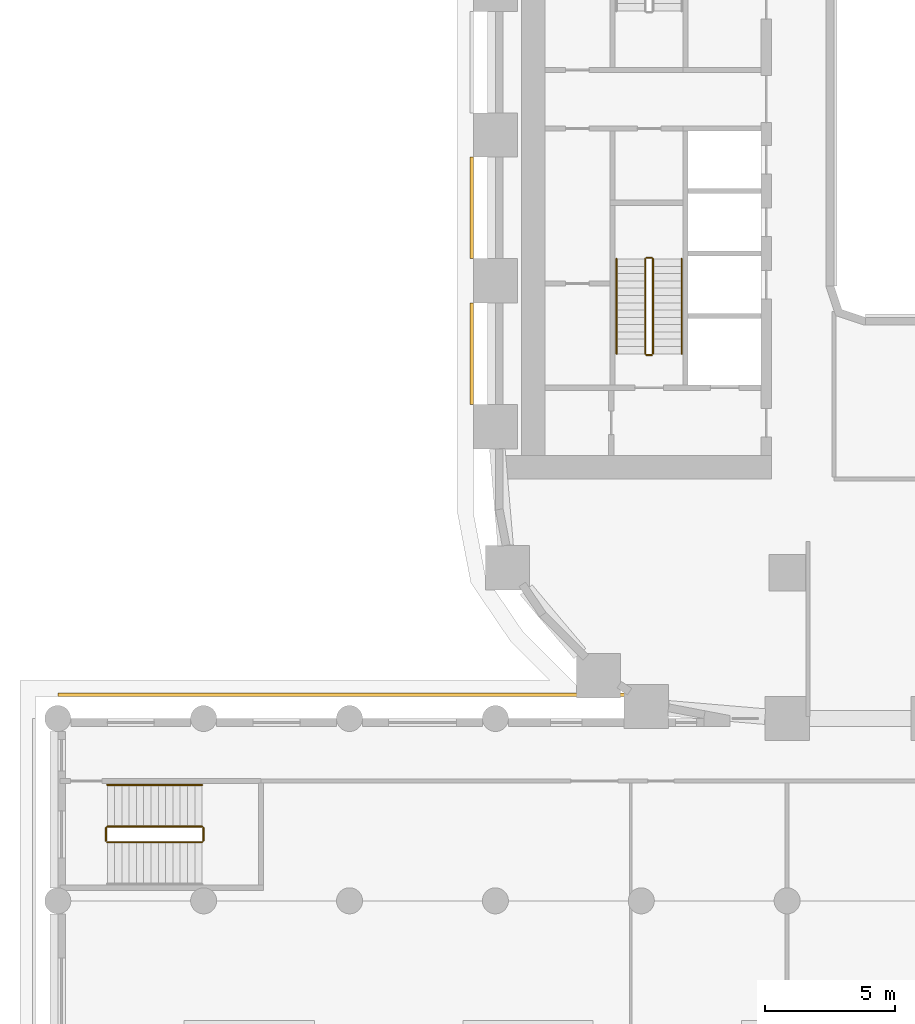
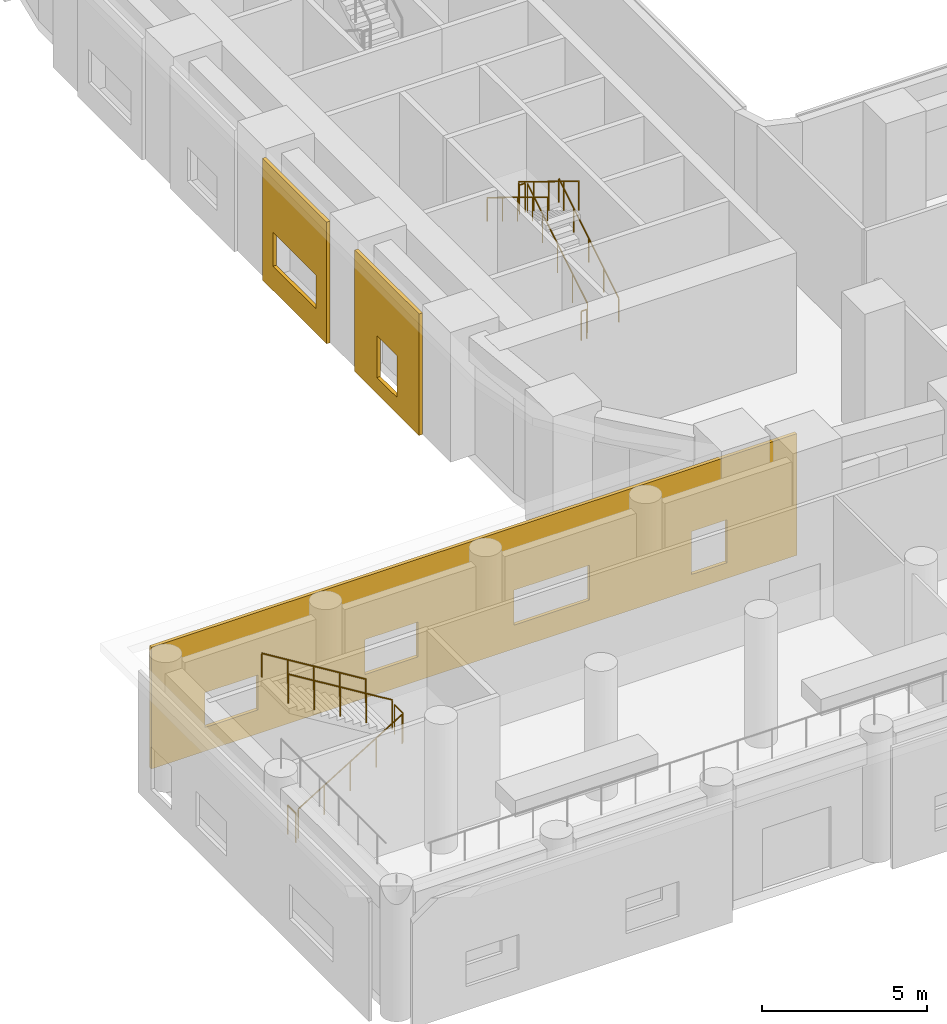
# One storey, part 29 of 35: 11 railings, 3 coverings.
"""IFC4 building model written with IfcOpenShell, lengths in metres."""

from ifc_helpers import new_model, si_unit, direction, frame, origin, origin_2d, place, context, subcontext, project, spatial, polyline, circle, outline, extrude, material, layer, layer_set, type_object, element, save


model = new_model("IFC4")

# Units and contexts
model_context = context("Model", 3, precision=1e-05, world=origin(), true_north=direction((0.0, 1.0)))
body_context = subcontext(model_context, "Body", "Model", "MODEL_VIEW")
ifc_project = project(units=[si_unit("LENGTHUNIT", "METRE"), si_unit("AREAUNIT", "SQUARE_METRE"), si_unit("VOLUMEUNIT", "CUBIC_METRE"), si_unit("PLANEANGLEUNIT", "RADIAN"), si_unit("MASSUNIT", "GRAM", prefix="KILO")], contexts=[model_context])

# Site, building, storey
site_placement = place(None, origin())
site = spatial("IfcSite", under=ifc_project, at=site_placement, CompositionType="ELEMENT")
building_placement = place(site_placement, origin())
building = spatial("IfcBuilding", under=site, at=building_placement, Name="Kiln Ring Residences", CompositionType="ELEMENT")
storey_placement = place(building_placement, frame((0.0, 0.0, 20.89990234375)))
storey = spatial("IfcBuildingStorey", under=building, at=storey_placement, Name="L04", CompositionType="ELEMENT", Elevation=20.89990234375)

# Railings
ifc_material_1 = material(Name="Stainless steel", Category="steel")
railing_type_1 = type_object("IfcRailingType", Name="CORE-STAIR-GUARD", PredefinedType="GUARDRAIL", material=ifc_material_1)
railing_1_placement = place(storey_placement, frame((-21.949951171875, -8.39990234375, 0.171630859375)))
element("IfcRailing", 1, at=railing_1_placement, inside=storey, type_object=railing_type_1, Name="L04 W-STS stair guard 1", PredefinedType="GUARDRAIL", context=body_context, shape_type="SweptSolid", body=[
    extrude(circle(Radius=0.02392578125, at=origin_2d()), frame((0.0, 0.0, 1.076171875), z_axis=(0.0, 0.852850264322, 0.5221555579), x_axis=(-1.0, 0.0, 0.0)), (0.0, 0.0, 1.0), 4.267822265625),
    extrude(circle(Radius=0.02099609375, at=origin_2d()), origin(), (0.0, 0.0, 1.0), 1.052001953125),
    extrude(circle(Radius=0.02099609375, at=origin_2d()), frame((0.0, 0.909912109375, 0.55712890625)), (0.0, 0.0, 1.0), 1.052001953125),
    extrude(circle(Radius=0.02099609375, at=origin_2d()), frame((0.0, 1.81982421875, 1.1142578125)), (0.0, 0.0, 1.0), 1.052001953125),
    extrude(circle(Radius=0.02099609375, at=origin_2d()), frame((0.0, 2.72998046875, 1.67138671875)), (0.0, 0.0, 1.0), 1.052001953125),
    extrude(circle(Radius=0.02099609375, at=origin_2d()), frame((0.0, 3.639892578125, 2.228515625)), (0.0, 0.0, 1.0), 1.052001953125),
])
railing_2_placement = place(storey_placement, frame((-22.0, -4.7099609375, 2.400146484375)))
element("IfcRailing", 2, at=railing_2_placement, inside=storey, type_object=railing_type_1, Name="L04 W-STS stair guard 2", PredefinedType="GUARDRAIL", context=body_context, shape_type="SweptSolid", body=[
    extrude(circle(Radius=0.02392578125, at=origin_2d()), frame((0.0, 0.0, 1.076171875), z_axis=(-1.0, 0.0, 0.0), x_axis=(0.0, -1.0, 0.0)), (0.0, 0.0, 1.0), 0.199951171875),
    extrude(circle(Radius=0.02099609375, at=origin_2d()), origin(), (0.0, 0.0, 1.0), 1.052001953125),
    extrude(circle(Radius=0.02099609375, at=origin_2d()), frame((-0.199951171875, 0.0, 0.0)), (0.0, 0.0, 1.0), 1.052001953125),
])
railing_3_placement = place(storey_placement, frame((-22.25, -4.760009765625, 2.571533203125)))
element("IfcRailing", 3, at=railing_3_placement, inside=storey, type_object=railing_type_1, Name="L04 W-STS stair guard 3", PredefinedType="GUARDRAIL", context=body_context, shape_type="SweptSolid", body=[
    extrude(circle(Radius=0.02392578125, at=origin_2d()), frame((0.0, 0.0, 1.076171875), z_axis=(0.0, -0.852850264322, 0.5221555579), x_axis=(1.0, 0.0, 0.0)), (0.0, 0.0, 1.0), 4.267822265625),
    extrude(circle(Radius=0.02099609375, at=origin_2d()), origin(), (0.0, 0.0, 1.0), 1.052001953125),
    extrude(circle(Radius=0.02099609375, at=origin_2d()), frame((0.0, -0.909912109375, 0.55712890625)), (0.0, 0.0, 1.0), 1.052001953125),
    extrude(circle(Radius=0.02099609375, at=origin_2d()), frame((0.0, -1.81982421875, 1.1142578125)), (0.0, 0.0, 1.0), 1.052001953125),
    extrude(circle(Radius=0.02099609375, at=origin_2d()), frame((0.0, -2.72998046875, 1.67138671875)), (0.0, 0.0, 1.0), 1.052001953125),
    extrude(circle(Radius=0.02099609375, at=origin_2d()), frame((0.0, -3.639892578125, 2.228515625)), (0.0, 0.0, 1.0), 1.052001953125),
])
railing_4_placement = place(storey_placement, frame((-22.0, -8.449951171875, 0.0)))
element("IfcRailing", 4, at=railing_4_placement, inside=storey, type_object=railing_type_1, Name="L04 W-STS stair guard 4", PredefinedType="GUARDRAIL", context=body_context, shape_type="SweptSolid", body=[
    extrude(circle(Radius=0.02392578125, at=origin_2d()), frame((0.0, 0.0, 1.076171875), z_axis=(-1.0, 0.0, 0.0), x_axis=(0.0, -1.0, 0.0)), (0.0, 0.0, 1.0), 0.199951171875),
    extrude(circle(Radius=0.02099609375, at=origin_2d()), origin(), (0.0, 0.0, 1.0), 1.052001953125),
    extrude(circle(Radius=0.02099609375, at=origin_2d()), frame((-0.199951171875, 0.0, 0.0)), (0.0, 0.0, 1.0), 1.052001953125),
])
ifc_material_2 = material(Name="Stainless steel", Category="steel")
railing_type_2 = type_object("IfcRailingType", Name="CORE-STAIR-HANDRAIL", PredefinedType="HANDRAIL", material=ifc_material_2)
railing_5_placement = place(storey_placement, frame((-20.85009765625, -8.39990234375, 0.171630859375)))
element("IfcRailing", 5, at=railing_5_placement, inside=storey, type_object=railing_type_2, Name="L04 W-STS stair handrail 1", PredefinedType="HANDRAIL", context=body_context, shape_type="SweptSolid", body=[
    extrude(circle(Radius=0.02392578125, at=origin_2d()), frame((0.0, 0.0, 0.8759765625), z_axis=(0.0, 0.852850264322, 0.5221555579), x_axis=(-1.0, 0.0, 0.0)), (0.0, 0.0, 1.0), 4.267822265625),
    extrude(circle(Radius=0.02099609375, at=origin_2d()), origin(), (0.0, 0.0, 1.0), 0.851806640625),
    extrude(circle(Radius=0.02099609375, at=origin_2d()), frame((0.0, 0.909912109375, 0.55712890625)), (0.0, 0.0, 1.0), 0.851806640625),
    extrude(circle(Radius=0.02099609375, at=origin_2d()), frame((0.0, 1.81982421875, 1.1142578125)), (0.0, 0.0, 1.0), 0.851806640625),
    extrude(circle(Radius=0.02099609375, at=origin_2d()), frame((0.0, 2.72998046875, 1.67138671875)), (0.0, 0.0, 1.0), 0.851806640625),
    extrude(circle(Radius=0.02099609375, at=origin_2d()), frame((0.0, 3.639892578125, 2.228515625)), (0.0, 0.0, 1.0), 0.851806640625),
])
railing_6_placement = place(storey_placement, frame((-23.35009765625, -4.760009765625, 2.571533203125)))
element("IfcRailing", 6, at=railing_6_placement, inside=storey, type_object=railing_type_2, Name="L04 W-STS stair handrail 2", PredefinedType="HANDRAIL", context=body_context, shape_type="SweptSolid", body=[
    extrude(circle(Radius=0.02392578125, at=origin_2d()), frame((0.0, 0.0, 0.8759765625), z_axis=(0.0, -0.852850264322, 0.5221555579), x_axis=(1.0, 0.0, 0.0)), (0.0, 0.0, 1.0), 4.267822265625),
    extrude(circle(Radius=0.02099609375, at=origin_2d()), origin(), (0.0, 0.0, 1.0), 0.851806640625),
    extrude(circle(Radius=0.02099609375, at=origin_2d()), frame((0.0, -0.909912109375, 0.55712890625)), (0.0, 0.0, 1.0), 0.851806640625),
    extrude(circle(Radius=0.02099609375, at=origin_2d()), frame((0.0, -1.81982421875, 1.1142578125)), (0.0, 0.0, 1.0), 0.851806640625),
    extrude(circle(Radius=0.02099609375, at=origin_2d()), frame((0.0, -2.72998046875, 1.67138671875)), (0.0, 0.0, 1.0), 0.851806640625),
    extrude(circle(Radius=0.02099609375, at=origin_2d()), frame((0.0, -3.639892578125, 2.228515625)), (0.0, 0.0, 1.0), 0.851806640625),
])
ifc_material_3 = material(Name="Stainless steel", Category="steel")
railing_type_3 = type_object("IfcRailingType", Name="PODIUM-STAIR-GUARD", PredefinedType="GUARDRAIL", material=ifc_material_3)
railing_7_placement = place(storey_placement, frame((-42.89990234375, -27.14990234375, 0.171630859375)))
element("IfcRailing", 7, at=railing_7_placement, inside=storey, type_object=railing_type_3, Name="L04 PS-W stair guard 1", PredefinedType="GUARDRAIL", context=body_context, shape_type="SweptSolid", body=[
    extrude(circle(Radius=0.02392578125, at=origin_2d()), frame((0.0, 0.0, 1.076171875), z_axis=(0.852850264322, 0.0, 0.5221555579), x_axis=(0.0, 1.0, 0.0)), (0.0, 0.0, 1.0), 4.267822265625),
    extrude(circle(Radius=0.02099609375, at=origin_2d()), origin(), (0.0, 0.0, 1.0), 1.052001953125),
    extrude(circle(Radius=0.02099609375, at=origin_2d()), frame((0.909912109375, 0.0, 0.55712890625)), (0.0, 0.0, 1.0), 1.052001953125),
    extrude(circle(Radius=0.02099609375, at=origin_2d()), frame((1.81982421875, 0.0, 1.1142578125)), (0.0, 0.0, 1.0), 1.052001953125),
    extrude(circle(Radius=0.02099609375, at=origin_2d()), frame((2.72998046875, 0.0, 1.67138671875)), (0.0, 0.0, 1.0), 1.052001953125),
    extrude(circle(Radius=0.02099609375, at=origin_2d()), frame((3.639892578125, 0.0, 2.228515625)), (0.0, 0.0, 1.0), 1.052001953125),
])
railing_8_placement = place(storey_placement, frame((-39.2099609375, -27.10009765625, 2.400146484375)))
element("IfcRailing", 8, at=railing_8_placement, inside=storey, type_object=railing_type_3, Name="L04 PS-W stair guard 2", PredefinedType="GUARDRAIL", context=body_context, shape_type="SweptSolid", body=[
    extrude(circle(Radius=0.02392578125, at=origin_2d()), frame((0.0, 0.0, 1.076171875), z_axis=(0.0, 1.0, 0.0), x_axis=(-1.0, 0.0, 0.0)), (0.0, 0.0, 1.0), 0.5),
    extrude(circle(Radius=0.02099609375, at=origin_2d()), origin(), (0.0, 0.0, 1.0), 1.052001953125),
    extrude(circle(Radius=0.02099609375, at=origin_2d()), frame((0.0, 0.5, 0.0)), (0.0, 0.0, 1.0), 1.052001953125),
])
railing_9_placement = place(storey_placement, frame((-39.260009765625, -26.550048828125, 2.571533203125)))
element("IfcRailing", 9, at=railing_9_placement, inside=storey, type_object=railing_type_3, Name="L04 PS-W stair guard 3", PredefinedType="GUARDRAIL", context=body_context, shape_type="SweptSolid", body=[
    extrude(circle(Radius=0.02392578125, at=origin_2d()), frame((0.0, 0.0, 1.076171875), z_axis=(-0.852850264322, 0.0, 0.5221555579), x_axis=(0.0, -1.0, 0.0)), (0.0, 0.0, 1.0), 4.267822265625),
    extrude(circle(Radius=0.02099609375, at=origin_2d()), origin(), (0.0, 0.0, 1.0), 1.052001953125),
    extrude(circle(Radius=0.02099609375, at=origin_2d()), frame((-0.909912109375, 0.0, 0.55712890625)), (0.0, 0.0, 1.0), 1.052001953125),
    extrude(circle(Radius=0.02099609375, at=origin_2d()), frame((-1.81982421875, 0.0, 1.1142578125)), (0.0, 0.0, 1.0), 1.052001953125),
    extrude(circle(Radius=0.02099609375, at=origin_2d()), frame((-2.72998046875, 0.0, 1.67138671875)), (0.0, 0.0, 1.0), 1.052001953125),
    extrude(circle(Radius=0.02099609375, at=origin_2d()), frame((-3.639892578125, 0.0, 2.228515625)), (0.0, 0.0, 1.0), 1.052001953125),
])
railing_10_placement = place(storey_placement, frame((-42.949951171875, -27.10009765625, 0.0)))
element("IfcRailing", 10, at=railing_10_placement, inside=storey, type_object=railing_type_3, Name="L04 PS-W stair guard 4", PredefinedType="GUARDRAIL", context=body_context, shape_type="SweptSolid", body=[
    extrude(circle(Radius=0.02392578125, at=origin_2d()), frame((0.0, 0.0, 1.076171875), z_axis=(0.0, 1.0, 0.0), x_axis=(-1.0, 0.0, 0.0)), (0.0, 0.0, 1.0), 0.5),
    extrude(circle(Radius=0.02099609375, at=origin_2d()), origin(), (0.0, 0.0, 1.0), 1.052001953125),
    extrude(circle(Radius=0.02099609375, at=origin_2d()), frame((0.0, 0.5, 0.0)), (0.0, 0.0, 1.0), 1.052001953125),
])
ifc_material_4 = material(Name="Stainless steel", Category="steel")
railing_type_4 = type_object("IfcRailingType", Name="PODIUM-STAIR-HANDRAIL", PredefinedType="HANDRAIL", material=ifc_material_4)
railing_11_placement = place(storey_placement, frame((-39.260009765625, -24.949951171875, 2.571533203125)))
element("IfcRailing", 11, at=railing_11_placement, inside=storey, type_object=railing_type_4, Name="L04 PS-W stair handrail 2", PredefinedType="HANDRAIL", context=body_context, shape_type="SweptSolid", body=[
    extrude(circle(Radius=0.02392578125, at=origin_2d()), frame((0.0, 0.0, 0.8759765625), z_axis=(-0.852850264322, 0.0, 0.5221555579), x_axis=(0.0, -1.0, 0.0)), (0.0, 0.0, 1.0), 4.267822265625),
    extrude(circle(Radius=0.02099609375, at=origin_2d()), origin(), (0.0, 0.0, 1.0), 0.851806640625),
    extrude(circle(Radius=0.02099609375, at=origin_2d()), frame((-0.909912109375, 0.0, 0.55712890625)), (0.0, 0.0, 1.0), 0.851806640625),
    extrude(circle(Radius=0.02099609375, at=origin_2d()), frame((-1.81982421875, 0.0, 1.1142578125)), (0.0, 0.0, 1.0), 0.851806640625),
    extrude(circle(Radius=0.02099609375, at=origin_2d()), frame((-2.72998046875, 0.0, 1.67138671875)), (0.0, 0.0, 1.0), 0.851806640625),
    extrude(circle(Radius=0.02099609375, at=origin_2d()), frame((-3.639892578125, 0.0, 2.228515625)), (0.0, 0.0, 1.0), 0.851806640625),
])

# Coverings
ifc_material_5 = material(Name="Brick masonry, dark clay brick", Category="masonry")
ifc_layer = layer(ifc_material_5, 0.1201171875)
ifc_layer_set = layer_set([ifc_layer], Name="RAINSCREEN PANEL 120")
covering_type = type_object("IfcCoveringType", Name="RAINSCREEN PANEL 120", PredefinedType="CLADDING", material=ifc_layer_set)
covering_1_placement = place(storey_placement, frame((-28.909912109375, -0.85009765625, 0.0), z_axis=(0.0, 0.0, 1.0), x_axis=(0.0, -1.0, 0.0)))
element("IfcCovering", 12, at=covering_1_placement, inside=storey, type_object=covering_type, Name="RAINSCREEN L04", PredefinedType="CLADDING", context=body_context, shape_type="SweptSolid", body=[
    extrude(outline(polyline([(0.0, 0.0), (3.89990234375, 0.0), (3.89990234375, 4.5), (0.0, 4.5), (0.0, 0.0)]), holes=[polyline([(0.64990234375, 2.150146484375), (0.64990234375, 0.900146484375), (3.25, 0.900146484375), (3.25, 2.150146484375), (0.64990234375, 2.150146484375)])]), frame((0.0, 0.06005859375, 0.0), z_axis=(0.0, -1.0, 0.0), x_axis=(1.0, 0.0, 0.0)), (0.0, 0.0, 1.0), 0.1201171875),
])
covering_2_placement = place(storey_placement, frame((-28.909912109375, -6.449951171875, 0.0), z_axis=(0.0, 0.0, 1.0), x_axis=(0.0, -1.0, 0.0)))
element("IfcCovering", 13, at=covering_2_placement, inside=storey, type_object=covering_type, Name="RAINSCREEN L04", PredefinedType="CLADDING", context=body_context, shape_type="SweptSolid", body=[
    extrude(outline(polyline([(0.0, 0.0), (3.89990234375, 0.0), (3.89990234375, 4.5), (0.0, 4.5), (0.0, 0.0)]), holes=[polyline([(1.35009765625, 2.150146484375), (1.35009765625, 0.60009765625), (2.550048828125, 0.60009765625), (2.550048828125, 2.150146484375), (1.35009765625, 2.150146484375)])]), frame((0.0, 0.06005859375, 0.0), z_axis=(0.0, -1.0, 0.0), x_axis=(1.0, 0.0, 0.0)), (0.0, 0.0, 1.0), 0.1201171875),
])
covering_3_placement = place(storey_placement, frame((-22.208740234375, -21.489990234375, 0.0), z_axis=(0.0, 0.0, 1.0), x_axis=(-1.0, 0.0, 0.0)))
element("IfcCovering", 14, at=covering_3_placement, inside=storey, type_object=covering_type, Name="RAINSCREEN L04", PredefinedType="CLADDING", context=body_context, shape_type="SweptSolid", body=[
    extrude(outline(polyline([(0.0, 0.0), (22.59130859375, 0.0), (22.59130859375, 4.5), (0.0, 4.5), (0.0, 0.0)]), holes=[polyline([(3.690673828125, 0.580078125), (3.690673828125, 2.170166015625), (2.45068359375, 2.170166015625), (2.45068359375, 0.580078125), (3.690673828125, 0.580078125)]), polyline([(9.911376953125, 0.880126953125), (9.911376953125, 2.170166015625), (7.271240234375, 2.170166015625), (7.271240234375, 0.880126953125), (9.911376953125, 0.880126953125)]), polyline([(15.111328125, 0.880126953125), (15.111328125, 2.170166015625), (13.271240234375, 2.170166015625), (13.271240234375, 0.880126953125), (15.111328125, 0.880126953125)]), polyline([(20.711181640625, 0.880126953125), (20.711181640625, 2.170166015625), (18.871337890625, 2.170166015625), (18.871337890625, 0.880126953125), (20.711181640625, 0.880126953125)])]), frame((0.0, 0.06005859375, 0.0), z_axis=(0.0, -1.0, 0.0), x_axis=(1.0, 0.0, 0.0)), (0.0, 0.0, 1.0), 0.1201171875),
])

save(model, "model.ifc")
